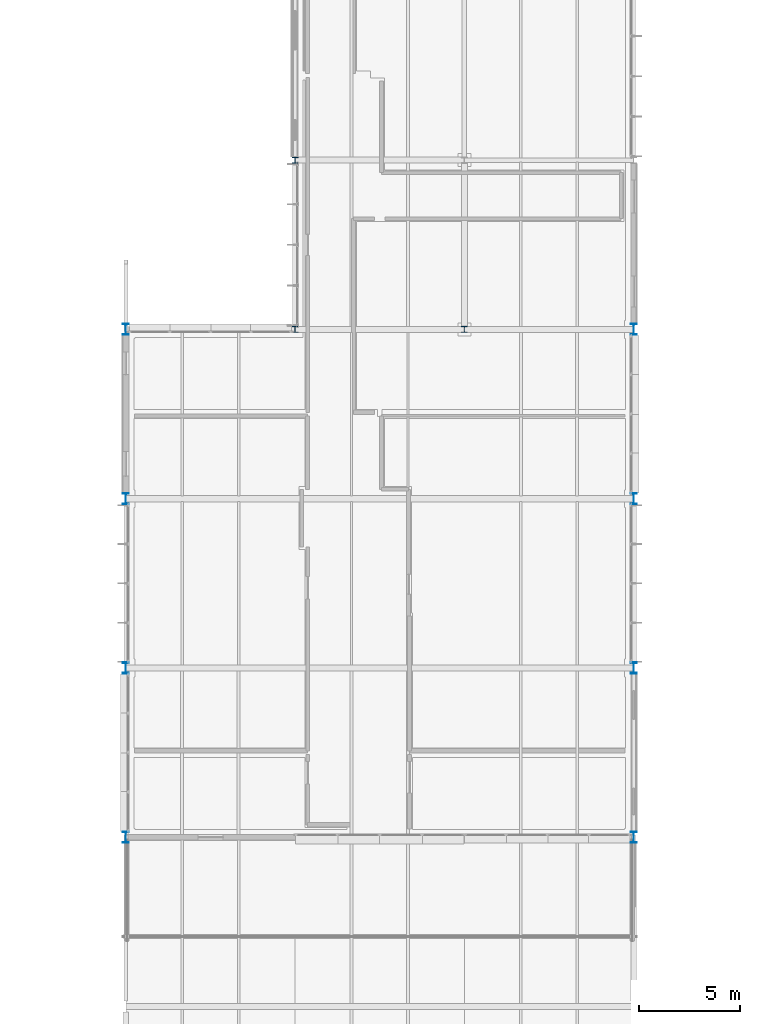
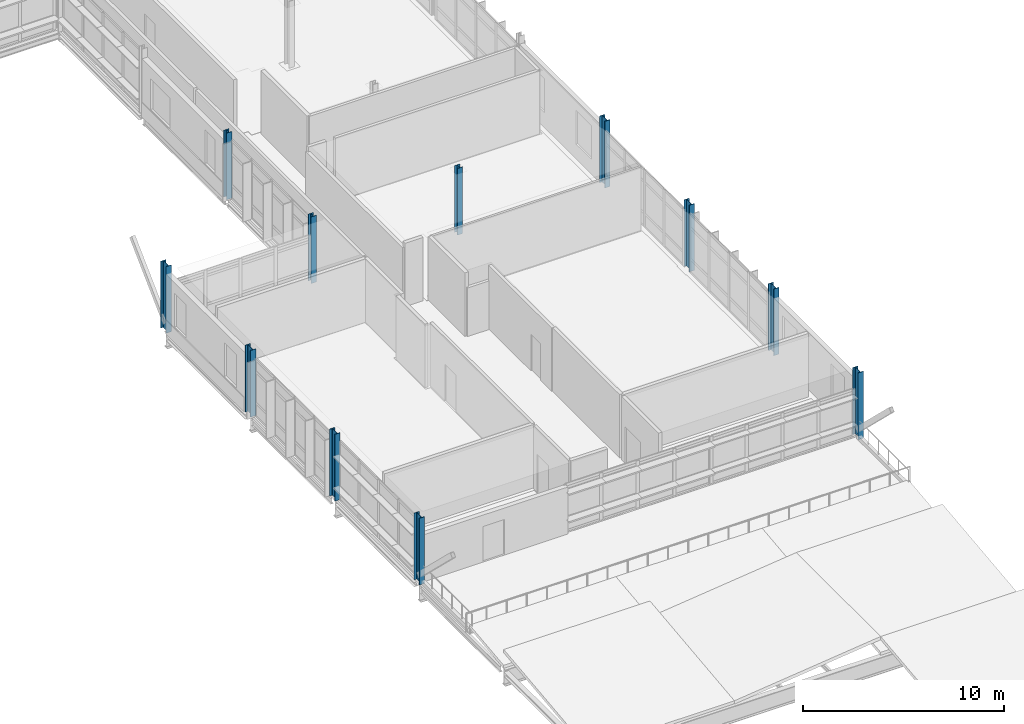
# One storey, part 6 of 103: 11 columns.
"""IFC4 building model written with IfcOpenShell, lengths in metres."""

from ifc_helpers import new_model, si_unit, direction, frame, origin, origin_2d, place, context, subcontext, project, spatial, i_section, extrude, material, material_profile, profile_set, type_object, element, save


model = new_model("IFC4")

# Units and contexts
model_context = context("Model", 3, precision=1e-05, world=origin(), true_north=direction((0.0, 1.0)))
body_context = subcontext(model_context, "Body", "Model", "MODEL_VIEW")
ifc_project = project(units=[si_unit("LENGTHUNIT", "METRE"), si_unit("AREAUNIT", "SQUARE_METRE"), si_unit("VOLUMEUNIT", "CUBIC_METRE"), si_unit("PLANEANGLEUNIT", "RADIAN"), si_unit("MASSUNIT", "GRAM", prefix="KILO")], contexts=[model_context])

# Site, building, storey
site_placement = place(None, origin())
site = spatial("IfcSite", under=ifc_project, at=site_placement, CompositionType="ELEMENT")
building_placement = place(site_placement, origin())
building = spatial("IfcBuilding", under=site, at=building_placement, Name="Mersafa Astral City Hall", CompositionType="ELEMENT")
storey_placement = place(building_placement, frame((0.0, 0.0, 18.0)))
storey = spatial("IfcBuildingStorey", under=building, at=storey_placement, Name="L04", CompositionType="ELEMENT", Elevation=18.0)

# Columns
ifc_material = material(Name="Steel S355", Category="steel")
ifc_material_profile_1 = material_profile(ifc_material, i_section(OverallWidth=0.300048828125, OverallDepth=0.300048828125, WebThickness=0.010986328125, FlangeThickness=0.01904296875, FilletRadius=0.027099609375, at=origin_2d()), Name="HEB 300")
ifc_profile_set_1 = profile_set([ifc_material_profile_1], Name="Steel S355")
column_type_1 = type_object("IfcColumnType", Name="STR-COL-HEB300", PredefinedType="COLUMN", material=ifc_profile_set_1)
for number, where, z_axis, x_axis, name in (
    (1, (100.800048828125, 92.39990234375, 0.0), (0.0, 0.0, 1.0), (1.0, 0.0, 0.0), "L04 Structural column G-12-11"),
    (2, (100.800048828125, 100.800048828125, 0.0), (0.0, 0.0, 1.0), (1.0, 0.0, 0.0), "L04 Structural column G-12-12"),
    (3, (109.199951171875, 92.39990234375, 0.0), (0.0, 0.0, 1.0), (1.0, 0.0, 0.0), "L04 Structural column G-13-11"),
):
    element("IfcColumn", number, at=place(storey_placement, frame(where, z_axis=z_axis, x_axis=x_axis)), inside=storey, type_object=column_type_1, Name=name, PredefinedType="COLUMN", context=body_context, shape_type="SweptSolid", body=[
        extrude(i_section(OverallWidth=0.300048828125, OverallDepth=0.300048828125, WebThickness=0.010986328125, FlangeThickness=0.01904296875, FilletRadius=0.027099609375, at=origin_2d()), origin(), (0.0, 0.0, 1.0), 4.050048828125),
    ])
ifc_material_profile_2 = material_profile(ifc_material, i_section(OverallWidth=0.300048828125, OverallDepth=0.550048828125, WebThickness=0.014892578125, FlangeThickness=0.029052734375, FilletRadius=0.027099609375, at=origin_2d()), Name="HEB 550")
ifc_profile_set_2 = profile_set([ifc_material_profile_2], Name="Steel S355")
column_type_2 = type_object("IfcColumnType", Name="STR-COL-HEB550", PredefinedType="COLUMN", material=ifc_profile_set_2)
for number, where, z_axis, x_axis, name in (
    (4, (92.39990234375, 67.199951171875, 0.0), (0.0, 0.0, 1.0), (1.0, 0.0, 0.0), "L04 Structural column G-11-08"),
    (5, (92.39990234375, 75.60009765625, 0.0), (0.0, 0.0, 1.0), (1.0, 0.0, 0.0), "L04 Structural column G-11-09"),
    (6, (92.39990234375, 84.0, 0.0), (0.0, 0.0, 1.0), (1.0, 0.0, 0.0), "L04 Structural column G-11-10"),
    (7, (92.39990234375, 92.39990234375, 0.0), (0.0, 0.0, 1.0), (1.0, 0.0, 0.0), "L04 Structural column G-11-11"),
    (8, (117.60009765625, 67.199951171875, 0.0), (0.0, 0.0, 1.0), (1.0, 0.0, 0.0), "L04 Structural column G-14-08"),
    (9, (117.60009765625, 75.60009765625, 0.0), (0.0, 0.0, 1.0), (1.0, 0.0, 0.0), "L04 Structural column G-14-09"),
    (10, (117.60009765625, 84.0, 0.0), (0.0, 0.0, 1.0), (1.0, 0.0, 0.0), "L04 Structural column G-14-10"),
    (11, (117.60009765625, 92.39990234375, 0.0), (0.0, 0.0, 1.0), (1.0, 0.0, 0.0), "L04 Structural column G-14-11"),
):
    element("IfcColumn", number, at=place(storey_placement, frame(where, z_axis=z_axis, x_axis=x_axis)), inside=storey, type_object=column_type_2, Name=name, PredefinedType="COLUMN", context=body_context, shape_type="SweptSolid", body=[
        extrude(i_section(OverallWidth=0.300048828125, OverallDepth=0.550048828125, WebThickness=0.014892578125, FlangeThickness=0.029052734375, FilletRadius=0.027099609375, at=origin_2d()), origin(), (0.0, 0.0, 1.0), 4.050048828125),
    ])

save(model, "model.ifc")
